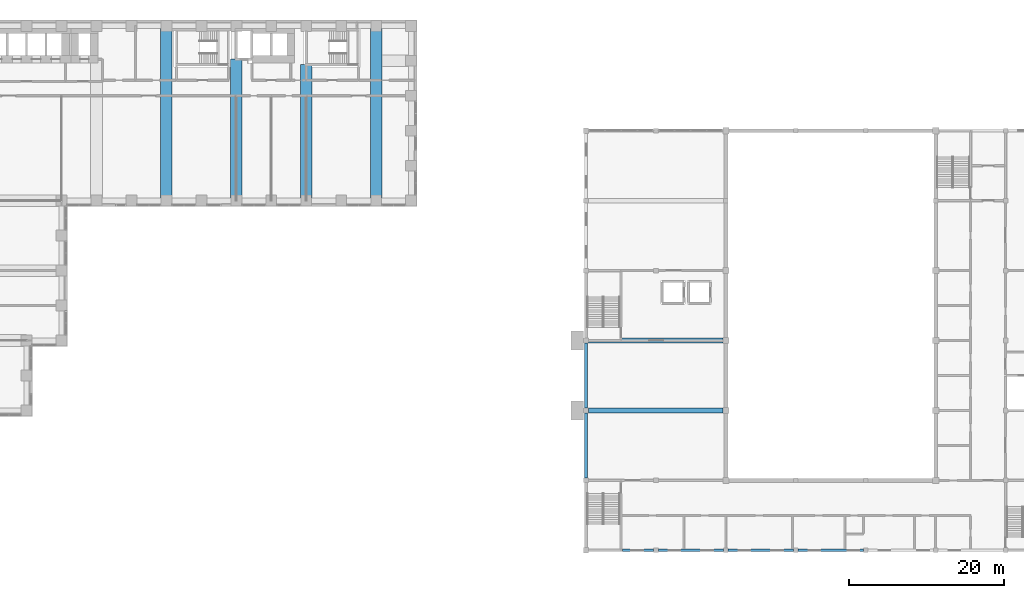
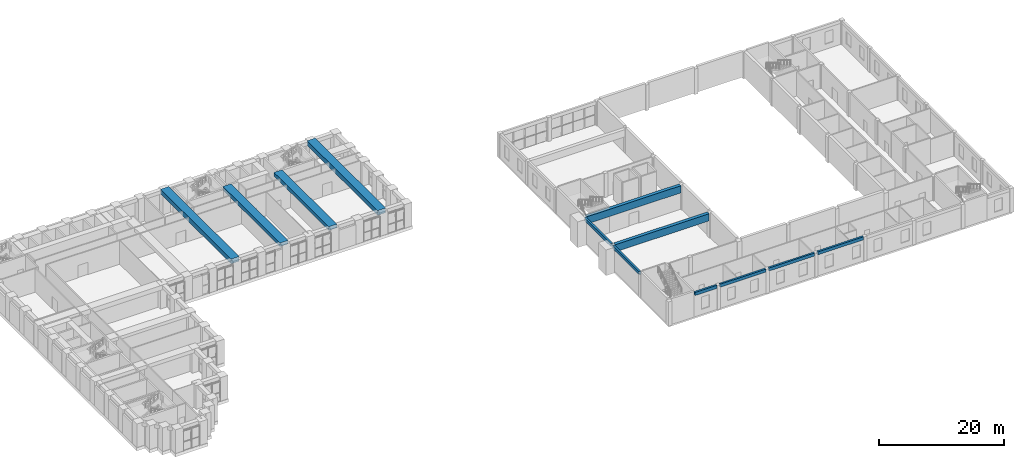
# One storey, part 7 of 30: 12 beams.
"""IFC4 building model written with IfcOpenShell, lengths in metres."""

from ifc_helpers import new_model, si_unit, direction, frame, origin, origin_2d, place, context, subcontext, project, spatial, rectangle, extrude, material, material_profile, profile_set, type_object, element, save


model = new_model("IFC4")

# Units and contexts
model_context = context("Model", 3, precision=1e-05, world=origin(), true_north=direction((0.0, 1.0)))
body_context = subcontext(model_context, "Body", "Model", "MODEL_VIEW")
ifc_project = project(units=[si_unit("LENGTHUNIT", "METRE"), si_unit("AREAUNIT", "SQUARE_METRE"), si_unit("VOLUMEUNIT", "CUBIC_METRE"), si_unit("PLANEANGLEUNIT", "RADIAN"), si_unit("MASSUNIT", "GRAM", prefix="KILO")], contexts=[model_context])

# Site, building, storey
site_placement = place(None, origin())
site = spatial("IfcSite", under=ifc_project, at=site_placement, CompositionType="ELEMENT")
building_placement = place(site_placement, origin())
building = spatial("IfcBuilding", under=site, at=building_placement, Name="Firuza Court", CompositionType="ELEMENT")
storey_placement = place(building_placement, frame((0.0, 0.0, 9.0)))
storey = spatial("IfcBuildingStorey", under=building, at=storey_placement, Name="L01", CompositionType="ELEMENT", Elevation=9.0)

# Beams
ifc_material_1 = material(Name="Concrete C40/50", Category="concrete")
ifc_material_profile_1 = material_profile(ifc_material_1, rectangle(XDim=1.5, YDim=0.699951171875, at=origin_2d()), Name="RC 1500x700")
ifc_profile_set_1 = profile_set([ifc_material_profile_1], Name="Concrete C40/50")
beam_type_1 = type_object("IfcBeamType", Name="Band beam RC 1500x700 C40/50", PredefinedType="BEAM", material=ifc_profile_set_1)
beam_1_placement = place(storey_placement, frame((45.0, 36.0, 4.25), z_axis=(0.0, 1.0, 0.0), x_axis=(-1.0, 0.0, 0.0)))
element("IfcBeam", 1, at=beam_1_placement, inside=storey, type_object=beam_type_1, Name="Band beam FB1 level L02", PredefinedType="BEAM", context=body_context, shape_type="SweptSolid", body=[
    extrude(rectangle(XDim=1.5, YDim=0.699951171875, at=origin_2d()), origin(), (0.0, 0.0, 1.0), 18.199951171875),
])
beam_2_placement = place(storey_placement, frame((54.0, 36.0, 4.25), z_axis=(0.0, 1.0, 0.0), x_axis=(-1.0, 0.0, 0.0)))
element("IfcBeam", 2, at=beam_2_placement, inside=storey, type_object=beam_type_1, Name="Band beam FB1 level L02", PredefinedType="BEAM", context=body_context, shape_type="SweptSolid", body=[
    extrude(rectangle(XDim=1.5, YDim=0.699951171875, at=origin_2d()), origin(), (0.0, 0.0, 1.0), 17.5),
])
ifc_material_2 = material(Name="Concrete C40/50", Category="concrete")
ifc_material_profile_2 = material_profile(ifc_material_2, rectangle(XDim=1.5, YDim=0.89990234375, at=origin_2d()), Name="RC 1500x900")
ifc_profile_set_2 = profile_set([ifc_material_profile_2], Name="Concrete C40/50")
beam_type_2 = type_object("IfcBeamType", Name="Band beam RC 1500x900 C40/50", PredefinedType="BEAM", material=ifc_profile_set_2)
for number, where, z_axis, x_axis, name in (
    (3, (36.0, 36.0, 4.14990234375), (0.0, 1.0, 0.0), (-1.0, 0.0, 0.0), "Band beam FB2 level L02"),
    (4, (63.0, 36.0, 4.14990234375), (0.0, 1.0, 0.0), (-1.0, 0.0, 0.0), "Band beam FB2 level L02"),
):
    element("IfcBeam", number, at=place(storey_placement, frame(where, z_axis=z_axis, x_axis=x_axis)), inside=storey, type_object=beam_type_2, Name=name, PredefinedType="BEAM", context=body_context, shape_type="SweptSolid", body=[
        extrude(rectangle(XDim=1.5, YDim=0.89990234375, at=origin_2d()), origin(), (0.0, 0.0, 1.0), 22.5),
    ])
ifc_material_3 = material(Name="Concrete C40/50", Category="concrete")
ifc_material_profile_3 = material_profile(ifc_material_3, rectangle(XDim=0.60009765625, YDim=1.39990234375, at=origin_2d()), Name="RC 600X1400")
ifc_profile_set_3 = profile_set([ifc_material_profile_3], Name="Concrete C40/50")
beam_type_3 = type_object("IfcBeamType", Name="RC GIRDER 600X1400", PredefinedType="BEAM", material=ifc_profile_set_3)
beam_3_placement = place(storey_placement, frame((90.300537109375, 9.0, 4.0), z_axis=(1.0, 0.0, 0.0), x_axis=(0.0, 1.0, 0.0)))
element("IfcBeam", 5, at=beam_3_placement, inside=storey, type_object=beam_type_3, Name="Girder 9 L01", PredefinedType="BEAM", context=body_context, shape_type="SweptSolid", body=[
    extrude(rectangle(XDim=0.60009765625, YDim=1.39990234375, at=origin_2d()), origin(), (0.0, 0.0, 1.0), 17.299072265625),
])
ifc_material_4 = material(Name="Concrete C40/50", Category="concrete")
ifc_material_profile_4 = material_profile(ifc_material_4, rectangle(XDim=0.35009765625, YDim=0.60009765625, at=origin_2d()), Name="RC 350X600")
ifc_profile_set_4 = profile_set([ifc_material_profile_4], Name="Concrete C40/50")
beam_type_4 = type_object("IfcBeamType", Name="RC RING BEAM 350X600", PredefinedType="BEAM", material=ifc_profile_set_4)
beam_4_placement = place(storey_placement, frame((94.699951171875, -9.0, 4.39990234375), z_axis=(1.0, 0.0, 0.0), x_axis=(0.0, 1.0, 0.0)))
element("IfcBeam", 6, at=beam_4_placement, inside=storey, type_object=beam_type_4, Name="Edge beam S1.1 L01", PredefinedType="BEAM", context=body_context, shape_type="SweptSolid", body=[
    extrude(rectangle(XDim=0.35009765625, YDim=0.60009765625, at=origin_2d()), origin(), (0.0, 0.0, 1.0), 4.0),
])
for number, where, z_axis, x_axis, name in (
    (7, (99.300048828125, -9.0, 4.39990234375), (1.0, 0.0, 0.0), (0.0, 1.0, 0.0), "Edge beam S3.1 L01"),
    (8, (108.300048828125, -9.0, 4.39990234375), (1.0, 0.0, 0.0), (0.0, 1.0, 0.0), "Edge beam S5.1 L01"),
    (9, (117.300048828125, -9.0, 4.39990234375), (1.0, 0.0, 0.0), (0.0, 1.0, 0.0), "Edge beam S7.1 L01"),
    (10, (90.0, 0.300048828125, 4.39990234375), (0.0, 1.0, 0.0), (-1.0, 0.0, 0.0), "Edge beam W3.1 L01"),
    (11, (90.0, 9.300048828125, 4.39990234375), (0.0, 1.0, 0.0), (-1.0, 0.0, 0.0), "Edge beam W5.1 L01"),
):
    element("IfcBeam", number, at=place(storey_placement, frame(where, z_axis=z_axis, x_axis=x_axis)), inside=storey, type_object=beam_type_4, Name=name, PredefinedType="BEAM", context=body_context, shape_type="SweptSolid", body=[
        extrude(rectangle(XDim=0.35009765625, YDim=0.60009765625, at=origin_2d()), origin(), (0.0, 0.0, 1.0), 8.39990234375),
    ])
ifc_material_5 = material(Name="Concrete C40/50", Category="concrete")
ifc_material_profile_5 = material_profile(ifc_material_5, rectangle(XDim=0.60009765625, YDim=1.39990234375, at=origin_2d()), Name="RC 600X1400")
ifc_profile_set_5 = profile_set([ifc_material_profile_5], Name="Concrete C40/50")
beam_type_5 = type_object("IfcBeamType", Name="RC WALL BEAM 600X1400", PredefinedType="BEAM", material=ifc_profile_set_5)
beam_5_placement = place(storey_placement, frame((90.300537109375, 18.0, 4.0), z_axis=(1.0, 0.0, 0.0), x_axis=(0.0, 1.0, 0.0)))
element("IfcBeam", 12, at=beam_5_placement, inside=storey, type_object=beam_type_5, Name="Girder 18 L01", PredefinedType="BEAM", context=body_context, shape_type="SweptSolid", body=[
    extrude(rectangle(XDim=0.60009765625, YDim=1.39990234375, at=origin_2d()), origin(), (0.0, 0.0, 1.0), 17.299072265625),
])

save(model, "model.ifc")
